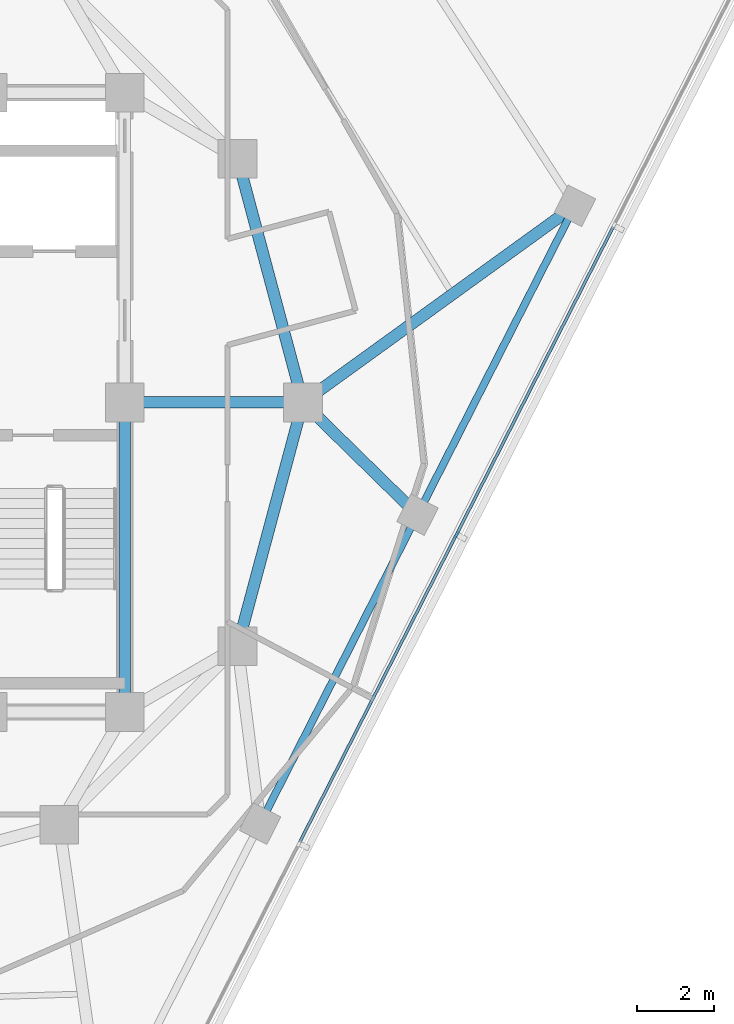
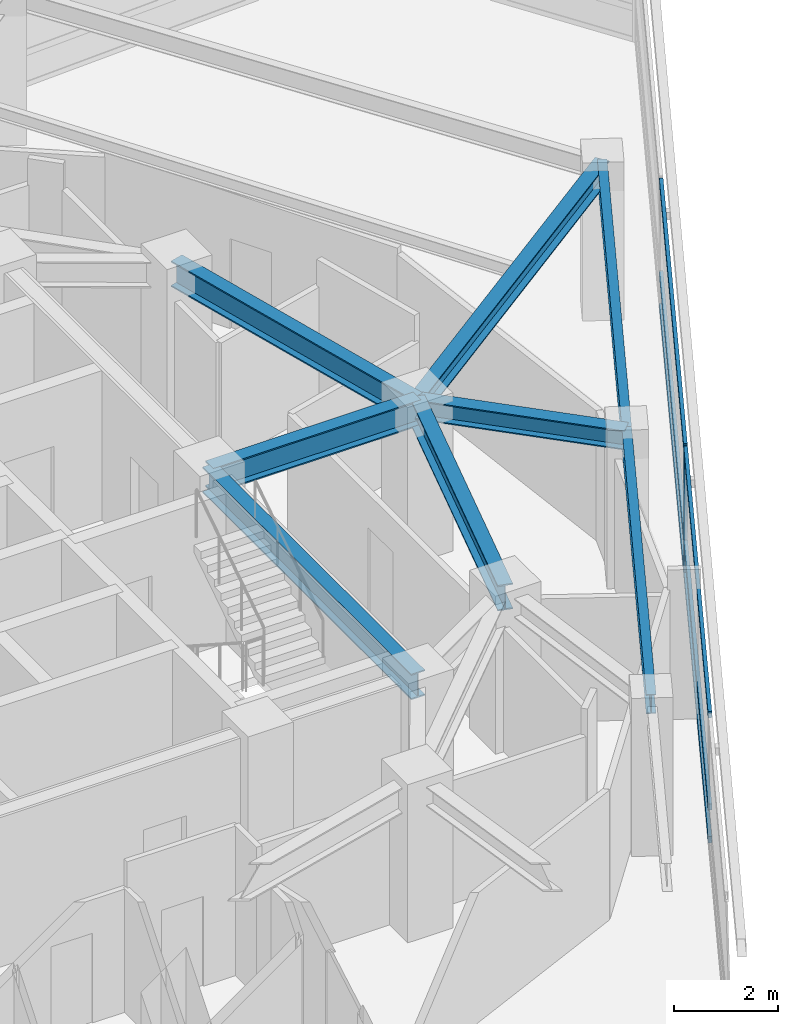
# One storey, part 4 of 15: 8 beams, 7 members, 1 element without a shape of its own.
"""IFC4 building model written with IfcOpenShell, lengths in metres."""

from ifc_helpers import new_model, si_unit, direction, frame, origin, origin_2d, place, context, subcontext, project, spatial, rectangle, i_section, extrude, material, layer, layer_set, material_profile, profile_set, type_object, element, aggregate, save


model = new_model("IFC4")

# Units and contexts
model_context = context("Model", 3, precision=1e-05, world=origin(), true_north=direction((0.0, 1.0)))
body_context = subcontext(model_context, "Body", "Model", "MODEL_VIEW")
ifc_project = project(units=[si_unit("LENGTHUNIT", "METRE"), si_unit("AREAUNIT", "SQUARE_METRE"), si_unit("VOLUMEUNIT", "CUBIC_METRE"), si_unit("PLANEANGLEUNIT", "RADIAN"), si_unit("MASSUNIT", "GRAM", prefix="KILO")], contexts=[model_context])

# Site, building, storey
site_placement = place(None, origin())
site = spatial("IfcSite", under=ifc_project, at=site_placement, CompositionType="ELEMENT")
building_placement = place(site_placement, origin())
building = spatial("IfcBuilding", under=site, at=building_placement, Name="Terralouvre Media Tower", CompositionType="ELEMENT")
storey_placement = place(building_placement, frame((0.0, 0.0, 259.60009765625)))
storey = spatial("IfcBuildingStorey", under=building, at=storey_placement, Name="L67", CompositionType="ELEMENT", Elevation=259.60009765625)

# Curtain wall, members
ifc_material_1 = material(Name="Low-iron laminated double glazing with solar-control coating", Category="glass")
ifc_layer = layer(ifc_material_1, 0.1650390625, Name="Upper Executive Tower Curtain Wall CW-05")
ifc_layer_set = layer_set([ifc_layer], Name="Low-iron laminated double glazing with solar-control coating")
curtain_wall_type = type_object("IfcCurtainWallType", Name="Upper Executive Tower Curtain Wall CW-05", PredefinedType="NOTDEFINED", material=ifc_layer_set)
curtain_wall_placement = place(storey_placement, origin())
curtain_wall = element("IfcCurtainWall", 1, at=curtain_wall_placement, inside=storey, type_object=curtain_wall_type, Name="L67 Facade Curtain Wall F0", PredefinedType="NOTDEFINED")
ifc_material_2 = material(Name="Anodised extruded aluminium 6063-T6", Category="aluminium")
ifc_material_profile_1 = material_profile(ifc_material_2, rectangle(XDim=0.074951171875, YDim=0.14990234375, at=origin_2d()), Name="ALU 75x150")
ifc_profile_set_1 = profile_set([ifc_material_profile_1], Name="Anodised extruded aluminium 6063-T6")
member_type_1 = type_object("IfcMemberType", Name="Curtain-Wall Horizontal Transom TR-150", PredefinedType="USERDEFINED", material=ifc_profile_set_1)
member_1_placement = place(storey_placement, frame((12.517822265625, -11.364013671875, 0.037353515625), z_axis=(0.4539932871, 0.891005103952, 0.0), x_axis=(-0.891005103952, 0.4539932871, 0.0)))
member_1 = element("IfcMember", 2, at=member_1_placement, type_object=member_type_1, Name="CW-05 transom 3.1", ObjectType="TRANSOM", PredefinedType="USERDEFINED", context=body_context, shape_type="SweptSolid", body=[
    extrude(rectangle(XDim=0.074951171875, YDim=0.14990234375, at=origin_2d()), origin(), (0.0, 0.0, 1.0), 8.885009765625),
])
member_2_placement = place(storey_placement, frame((12.517822265625, -11.364013671875, 0.7998046875), z_axis=(0.4539932871, 0.891005103952, 0.0), x_axis=(-0.891005103952, 0.4539932871, 0.0)))
member_2 = element("IfcMember", 3, at=member_2_placement, type_object=member_type_1, Name="CW-05 transom 3.2", ObjectType="TRANSOM", PredefinedType="USERDEFINED", context=body_context, shape_type="SweptSolid", body=[
    extrude(rectangle(XDim=0.074951171875, YDim=0.14990234375, at=origin_2d()), origin(), (0.0, 0.0, 1.0), 8.885009765625),
])
member_3_placement = place(storey_placement, frame((12.517822265625, -11.364013671875, 2.96240234375), z_axis=(0.4539932871, 0.891005103952, 0.0), x_axis=(-0.891005103952, 0.4539932871, 0.0)))
member_3 = element("IfcMember", 4, at=member_3_placement, type_object=member_type_1, Name="CW-05 transom 3.3", ObjectType="TRANSOM", PredefinedType="USERDEFINED", context=body_context, shape_type="SweptSolid", body=[
    extrude(rectangle(XDim=0.074951171875, YDim=0.14990234375, at=origin_2d()), origin(), (0.0, 0.0, 1.0), 8.885009765625),
])
member_4_placement = place(storey_placement, frame((16.585693359375, -3.380615234375, 0.037353515625), z_axis=(0.4539932871, 0.891005103952, 0.0), x_axis=(-0.891005103952, 0.4539932871, 0.0)))
member_4 = element("IfcMember", 5, at=member_4_placement, type_object=member_type_1, Name="CW-05 transom 4.1", ObjectType="TRANSOM", PredefinedType="USERDEFINED", context=body_context, shape_type="SweptSolid", body=[
    extrude(rectangle(XDim=0.074951171875, YDim=0.14990234375, at=origin_2d()), origin(), (0.0, 0.0, 1.0), 8.885009765625),
])
member_5_placement = place(storey_placement, frame((16.585693359375, -3.380615234375, 0.7998046875), z_axis=(0.4539932871, 0.891005103952, 0.0), x_axis=(-0.891005103952, 0.4539932871, 0.0)))
member_5 = element("IfcMember", 6, at=member_5_placement, type_object=member_type_1, Name="CW-05 transom 4.2", ObjectType="TRANSOM", PredefinedType="USERDEFINED", context=body_context, shape_type="SweptSolid", body=[
    extrude(rectangle(XDim=0.074951171875, YDim=0.14990234375, at=origin_2d()), origin(), (0.0, 0.0, 1.0), 8.885009765625),
])
member_6_placement = place(storey_placement, frame((16.585693359375, -3.380615234375, 2.96240234375), z_axis=(0.4539932871, 0.891005103952, 0.0), x_axis=(-0.891005103952, 0.4539932871, 0.0)))
member_6 = element("IfcMember", 7, at=member_6_placement, type_object=member_type_1, Name="CW-05 transom 4.3", ObjectType="TRANSOM", PredefinedType="USERDEFINED", context=body_context, shape_type="SweptSolid", body=[
    extrude(rectangle(XDim=0.074951171875, YDim=0.14990234375, at=origin_2d()), origin(), (0.0, 0.0, 1.0), 8.885009765625),
])
ifc_material_3 = material(Name="Anodised extruded aluminium 6063-T6", Category="aluminium")
ifc_material_profile_2 = material_profile(ifc_material_3, rectangle(XDim=0.074951171875, YDim=0.179931640625, at=origin_2d()), Name="ALU 75x180")
ifc_profile_set_2 = profile_set([ifc_material_profile_2], Name="Anodised extruded aluminium 6063-T6")
member_type_2 = type_object("IfcMemberType", Name="Curtain-Wall Vertical Mullion ML-180", PredefinedType="MULLION", material=ifc_profile_set_2)
member_7_placement = place(storey_placement, frame((16.568603515625, -3.4140625, 0.0), z_axis=(0.0, 0.0, 1.0), x_axis=(-0.891006553308, 0.45399044259, 0.0)))
member_7 = element("IfcMember", 8, at=member_7_placement, type_object=member_type_2, Name="CW-05 mullion 4", PredefinedType="MULLION", context=body_context, shape_type="SweptSolid", body=[
    extrude(rectangle(XDim=0.074951171875, YDim=0.179931640625, at=origin_2d()), origin(), (0.0, 0.0, 1.0), 3.0),
])
aggregate(curtain_wall, [member_7, member_1, member_2, member_3, member_4, member_5, member_6])

# Beams
ifc_material_4 = material(Name="Structural steel S355J2", Category="steel")
ifc_material_profile_3 = material_profile(ifc_material_4, i_section(OverallWidth=0.18994140625, OverallDepth=0.449951171875, WebThickness=0.009521484375, FlangeThickness=0.0146484375, at=origin_2d()), Name="IPE 450")
ifc_profile_set_3 = profile_set([ifc_material_profile_3], Name="Structural steel S355J2")
beam_type_1 = type_object("IfcBeamType", Name="Perimeter Spandrel Beam SPB-450 (IPE 450)", PredefinedType="SPANDREL", material=ifc_profile_set_3)
for number, where, z_axis, x_axis, name in (
    (9, (11.493896484375, -10.884521484375, 3.27490234375), (0.454001700669, 0.891000816941, 0.0), (-0.891000816941, 0.454001700669, 0.0), "L67 Framing Beam BM-L67-PR05"),
    (10, (15.561767578125, -2.901123046875, 3.27490234375), (0.453980068772, 0.891011838955, 0.0), (-0.891011838955, 0.453980068772, 0.0), "L67 Framing Beam BM-L67-PR06"),
):
    element("IfcBeam", number, at=place(storey_placement, frame(where, z_axis=z_axis, x_axis=x_axis)), inside=storey, type_object=beam_type_1, Name=name, PredefinedType="SPANDREL", context=body_context, shape_type="SweptSolid", body=[
        extrude(i_section(OverallWidth=0.18994140625, OverallDepth=0.449951171875, WebThickness=0.009521484375, FlangeThickness=0.0146484375, at=origin_2d()), origin(), (0.0, 0.0, 1.0), 8.9599609375),
    ])
ifc_material_5 = material(Name="Structural steel S355J2", Category="steel")
ifc_material_profile_4 = material_profile(ifc_material_5, i_section(OverallWidth=0.300048828125, OverallDepth=0.449951171875, WebThickness=0.013916015625, FlangeThickness=0.02587890625, at=origin_2d()), Name="HEB 450")
ifc_profile_set_4 = profile_set([ifc_material_profile_4], Name="Structural steel S355J2")
beam_type_2 = type_object("IfcBeamType", Name="Primary Floor Girder B-HEB450 (HEB 450)", PredefinedType="BEAM", material=ifc_profile_set_4)
beam_1_placement = place(storey_placement, frame((12.60009765625, 0.0, 3.27490234375), z_axis=(0.71437119745, -0.699766955675, 0.0), x_axis=(0.699766955675, 0.71437119745, 0.0)))
element("IfcBeam", 11, at=beam_1_placement, inside=storey, type_object=beam_type_2, Name="L67 Framing Beam BM-L67-RD06", PredefinedType="BEAM", context=body_context, shape_type="SweptSolid", body=[
    extrude(i_section(OverallWidth=0.300048828125, OverallDepth=0.449951171875, WebThickness=0.013916015625, FlangeThickness=0.02587890625, at=origin_2d()), origin(), (0.0, 0.0, 1.0), 4.145751953125),
])
beam_2_placement = place(storey_placement, frame((12.60009765625, 0.0, 3.27490234375), z_axis=(0.810374824206, 0.585911805901, 0.0), x_axis=(-0.585911805901, 0.810374824206, 0.0)))
element("IfcBeam", 12, at=beam_2_placement, inside=storey, type_object=beam_type_2, Name="L67 Framing Beam BM-L67-RD07", PredefinedType="BEAM", context=body_context, shape_type="SweptSolid", body=[
    extrude(i_section(OverallWidth=0.300048828125, OverallDepth=0.449951171875, WebThickness=0.013916015625, FlangeThickness=0.02587890625, at=origin_2d()), origin(), (0.0, 0.0, 1.0), 8.674072265625),
])
ifc_material_6 = material(Name="Structural steel S460M", Category="steel")
ifc_material_profile_5 = material_profile(ifc_material_6, i_section(OverallWidth=0.300048828125, OverallDepth=0.60009765625, WebThickness=0.015380859375, FlangeThickness=0.030029296875, at=origin_2d()), Name="HEB 600")
ifc_profile_set_5 = profile_set([ifc_material_profile_5], Name="Structural steel S460M")
beam_type_3 = type_object("IfcBeamType", Name="Primary Floor Girder B-HEB600 (HEB 600)", PredefinedType="BEAM", material=ifc_profile_set_5)
beam_3_placement = place(storey_placement, frame((8.0, -8.0, 3.199951171875), z_axis=(0.0, 1.0, 0.0), x_axis=(-1.0, 0.0, 0.0)))
element("IfcBeam", 13, at=beam_3_placement, inside=storey, type_object=beam_type_3, Name="L67 Framing Beam BM-L67-CPR04", PredefinedType="BEAM", context=body_context, shape_type="SweptSolid", body=[
    extrude(i_section(OverallWidth=0.300048828125, OverallDepth=0.60009765625, WebThickness=0.015380859375, FlangeThickness=0.030029296875, at=origin_2d()), origin(), (0.0, 0.0, 1.0), 8.0),
])
for number, where, z_axis, x_axis, name in (
    (14, (10.911865234375, -6.300048828125, 3.199951171875), (0.258838989821, 0.965920481897, 0.0), (-0.965920481897, 0.258838989821, 0.0), "L67 Framing Beam BM-L67-MR05"),
    (15, (12.60009765625, 0.0, 3.199951171875), (-0.258838989821, 0.965920481897, 0.0), (-0.965920481897, -0.258838989821, 0.0), "L67 Framing Beam BM-L67-MR06"),
):
    element("IfcBeam", number, at=place(storey_placement, frame(where, z_axis=z_axis, x_axis=x_axis)), inside=storey, type_object=beam_type_3, Name=name, PredefinedType="BEAM", context=body_context, shape_type="SweptSolid", body=[
        extrude(i_section(OverallWidth=0.300048828125, OverallDepth=0.60009765625, WebThickness=0.015380859375, FlangeThickness=0.030029296875, at=origin_2d()), origin(), (0.0, 0.0, 1.0), 6.522216796875),
    ])
beam_4_placement = place(storey_placement, frame((8.0, 0.0, 3.199951171875), z_axis=(1.0, 0.0, 0.0), x_axis=(0.0, 1.0, 0.0)))
element("IfcBeam", 16, at=beam_4_placement, inside=storey, type_object=beam_type_3, Name="L67 Framing Beam BM-L67-CM06", PredefinedType="BEAM", context=body_context, shape_type="SweptSolid", body=[
    extrude(i_section(OverallWidth=0.300048828125, OverallDepth=0.60009765625, WebThickness=0.015380859375, FlangeThickness=0.030029296875, at=origin_2d()), origin(), (0.0, 0.0, 1.0), 4.60009765625),
])

save(model, "model.ifc")
